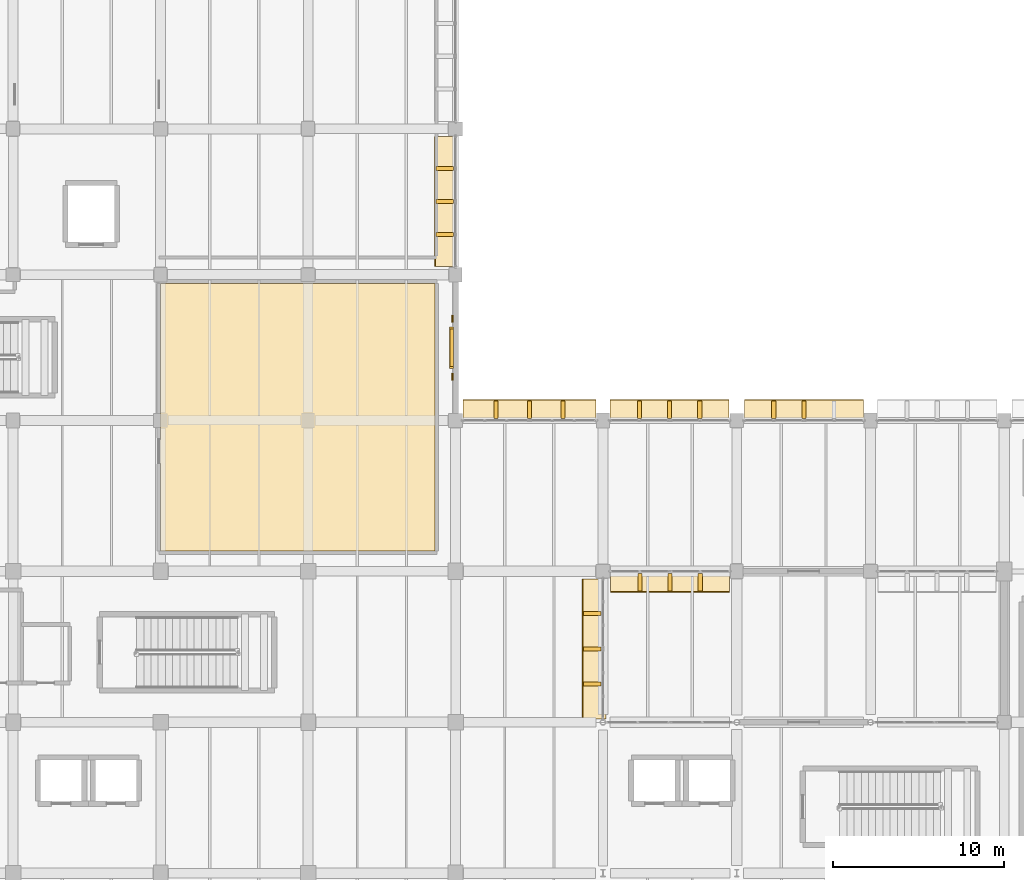
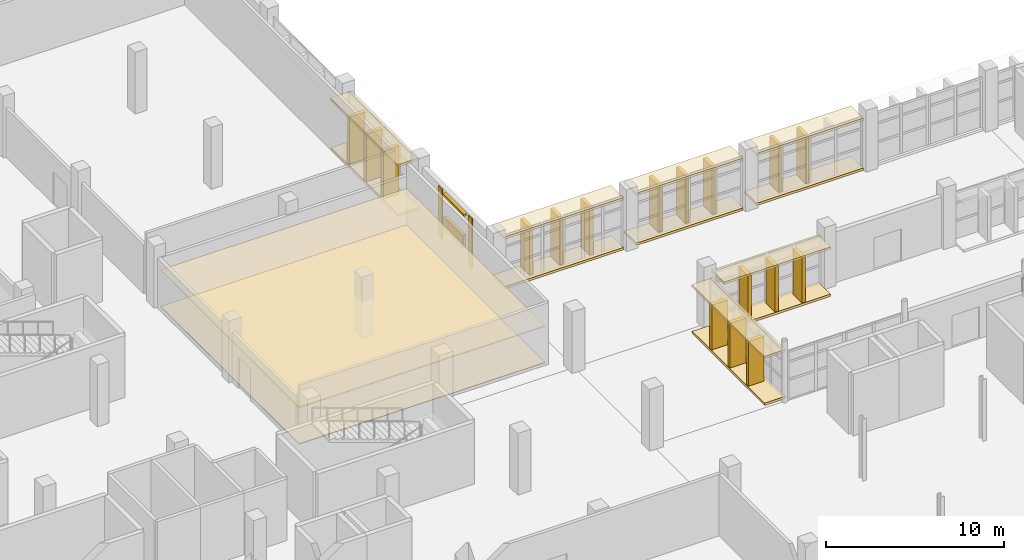
# One storey, part 69 of 76: 19 shading devices, 16 coverings.
"""IFC4 building model written with IfcOpenShell, lengths in metres."""

from ifc_helpers import new_model, si_unit, direction, frame, origin, origin_2d, place, context, subcontext, project, spatial, polyline, rectangle, outline, extrude, material, layer, layer_set, type_object, element, save


model = new_model("IFC4")

# Units and contexts
model_context = context("Model", 3, precision=1e-05, world=origin(), true_north=direction((0.0, 1.0)))
body_context = subcontext(model_context, "Body", "Model", "MODEL_VIEW")
ifc_project = project(units=[si_unit("LENGTHUNIT", "METRE"), si_unit("AREAUNIT", "SQUARE_METRE"), si_unit("VOLUMEUNIT", "CUBIC_METRE"), si_unit("PLANEANGLEUNIT", "RADIAN"), si_unit("MASSUNIT", "GRAM", prefix="KILO")], contexts=[model_context])

# Site, building, storey
site_placement = place(None, origin())
site = spatial("IfcSite", under=ifc_project, at=site_placement, CompositionType="ELEMENT")
building_placement = place(site_placement, origin())
building = spatial("IfcBuilding", under=site, at=building_placement, Name="Varnakota Cinema and Media Centre", CompositionType="ELEMENT")
storey_placement = place(building_placement, origin())
storey = spatial("IfcBuildingStorey", under=building, at=storey_placement, Name="L00", CompositionType="ELEMENT", Elevation=0.0)

# Coverings
ifc_material_1 = material(Name="Autoclaved aerated concrete blockwork", Category="masonry")
ifc_layer_1 = layer(ifc_material_1, 0.06005859375)
ifc_layer_set_1 = layer_set([ifc_layer_1], Name="Autoclaved aerated concrete blockwork")
covering_type_1 = type_object("IfcCoveringType", Name="COV-ACOUST-CEIL-60", PredefinedType="CEILING", material=ifc_layer_set_1)
covering_1_placement = place(storey_placement, frame((0.0, 0.0, 2.5)))
element("IfcCovering", 1, at=covering_1_placement, inside=storey, type_object=covering_type_1, Name="L00 Orchestral Recording Studio 1 acoustic baffle ceiling", PredefinedType="CEILING", context=body_context, shape_type="SweptSolid", body=[
    extrude(outline(polyline([(25.800048828125, 36.39990234375), (41.800048828125, 36.39990234375), (41.800048828125, 52.0), (25.800048828125, 52.0), (25.800048828125, 36.39990234375)])), origin(), (0.0, 0.0, 1.0), 0.06005859375),
])
ifc_material_2 = material(Name="Precast concrete M40", Category="concrete")
ifc_layer_2 = layer(ifc_material_2, 0.159912109375)
ifc_layer_set_2 = layer_set([ifc_layer_2], Name="Precast concrete M40")
covering_type_2 = type_object("IfcCoveringType", Name="COV-CHAJJA-160", PredefinedType="CLADDING", material=ifc_layer_set_2)
covering_2_placement = place(storey_placement, frame((0.0, 0.0, 3.425048828125)))
element("IfcCovering", 2, at=covering_2_placement, inside=storey, type_object=covering_type_2, Name="L00 Brutalist chajja overhang LINK-N-1", PredefinedType="CLADDING", context=body_context, shape_type="SweptSolid", body=[
    extrude(outline(polyline([(43.43994140625, 43.820068359375), (51.18505859375, 43.820068359375), (51.18505859375, 45.219970703125), (43.43994140625, 45.219970703125), (43.43994140625, 43.820068359375)])), origin(), (0.0, 0.0, 1.0), 0.159912109375),
])
covering_3_placement = place(storey_placement, origin())
element("IfcCovering", 3, at=covering_3_placement, inside=storey, type_object=covering_type_2, Name="L00 brise-soleil base plinth LINK-N-1", PredefinedType="CLADDING", context=body_context, shape_type="SweptSolid", body=[
    extrude(outline(polyline([(43.43994140625, 43.820068359375), (51.18505859375, 43.820068359375), (51.18505859375, 45.179931640625), (43.43994140625, 45.179931640625), (43.43994140625, 43.820068359375)])), origin(), (0.0, 0.0, 1.0), 0.159912109375),
])
covering_4_placement = place(storey_placement, frame((0.0, 0.0, 3.425048828125)))
element("IfcCovering", 4, at=covering_4_placement, inside=storey, type_object=covering_type_2, Name="L00 Brutalist chajja overhang LINK-N-2", PredefinedType="CLADDING", context=body_context, shape_type="SweptSolid", body=[
    extrude(outline(polyline([(52.014892578125, 43.820068359375), (58.9599609375, 43.820068359375), (58.9599609375, 45.219970703125), (52.014892578125, 45.219970703125), (52.014892578125, 43.820068359375)])), origin(), (0.0, 0.0, 1.0), 0.159912109375),
])
covering_5_placement = place(storey_placement, origin())
element("IfcCovering", 5, at=covering_5_placement, inside=storey, type_object=covering_type_2, Name="L00 brise-soleil base plinth LINK-N-2", PredefinedType="CLADDING", context=body_context, shape_type="SweptSolid", body=[
    extrude(outline(polyline([(52.014892578125, 43.820068359375), (58.9599609375, 43.820068359375), (58.9599609375, 45.179931640625), (52.014892578125, 45.179931640625), (52.014892578125, 43.820068359375)])), origin(), (0.0, 0.0, 1.0), 0.159912109375),
])
covering_6_placement = place(storey_placement, frame((0.0, 0.0, 3.425048828125)))
element("IfcCovering", 6, at=covering_6_placement, inside=storey, type_object=covering_type_2, Name="L00 Brutalist chajja overhang LINK-N-3", PredefinedType="CLADDING", context=body_context, shape_type="SweptSolid", body=[
    extrude(outline(polyline([(59.840087890625, 43.820068359375), (66.784912109375, 43.820068359375), (66.784912109375, 45.219970703125), (59.840087890625, 45.219970703125), (59.840087890625, 43.820068359375)])), origin(), (0.0, 0.0, 1.0), 0.159912109375),
])
covering_7_placement = place(storey_placement, origin())
element("IfcCovering", 7, at=covering_7_placement, inside=storey, type_object=covering_type_2, Name="L00 brise-soleil base plinth LINK-N-3", PredefinedType="CLADDING", context=body_context, shape_type="SweptSolid", body=[
    extrude(outline(polyline([(59.840087890625, 43.820068359375), (66.784912109375, 43.820068359375), (66.784912109375, 45.179931640625), (59.840087890625, 45.179931640625), (59.840087890625, 43.820068359375)])), origin(), (0.0, 0.0, 1.0), 0.159912109375),
])
covering_8_placement = place(storey_placement, frame((0.0, 0.0, 3.27490234375)))
element("IfcCovering", 8, at=covering_8_placement, inside=storey, type_object=covering_type_2, Name="L00 Brutalist chajja overhang LINK-S-3", PredefinedType="CLADDING", context=body_context, shape_type="SweptSolid", body=[
    extrude(outline(polyline([(58.985107421875, 35.3798828125), (52.0400390625, 35.3798828125), (52.0400390625, 33.97998046875), (58.985107421875, 33.97998046875), (58.985107421875, 35.3798828125)])), origin(), (0.0, 0.0, 1.0), 0.16015625),
])
covering_9_placement = place(storey_placement, origin())
element("IfcCovering", 9, at=covering_9_placement, inside=storey, type_object=covering_type_2, Name="L00 brise-soleil base plinth LINK-S-3", PredefinedType="CLADDING", context=body_context, shape_type="SweptSolid", body=[
    extrude(outline(polyline([(58.985107421875, 35.3798828125), (52.0400390625, 35.3798828125), (52.0400390625, 34.02001953125), (58.985107421875, 34.02001953125), (58.985107421875, 35.3798828125)])), origin(), (0.0, 0.0, 1.0), 0.159912109375),
])
covering_10_placement = place(storey_placement, frame((0.0, 0.0, 3.22509765625)))
element("IfcCovering", 10, at=covering_10_placement, inside=storey, type_object=covering_type_2, Name="L00 Brutalist chajja overhang WLINK-E-1", PredefinedType="CLADDING", context=body_context, shape_type="SweptSolid", body=[
    extrude(outline(polyline([(51.780029296875, 26.60205078125), (51.780029296875, 34.760009765625), (50.3798828125, 34.760009765625), (50.3798828125, 26.60205078125), (51.780029296875, 26.60205078125)])), origin(), (0.0, 0.0, 1.0), 0.159912109375),
])
covering_11_placement = place(storey_placement, origin())
element("IfcCovering", 11, at=covering_11_placement, inside=storey, type_object=covering_type_2, Name="L00 brise-soleil base plinth WLINK-E-1", PredefinedType="CLADDING", context=body_context, shape_type="SweptSolid", body=[
    extrude(outline(polyline([(51.780029296875, 26.60205078125), (51.780029296875, 34.760009765625), (50.419921875, 34.760009765625), (50.419921875, 26.60205078125), (51.780029296875, 26.60205078125)])), origin(), (0.0, 0.0, 1.0), 0.159912109375),
])
covering_12_placement = place(storey_placement, frame((0.0, 0.0, 3.425048828125)))
element("IfcCovering", 12, at=covering_12_placement, inside=storey, type_object=covering_type_2, Name="L00 Brutalist chajja overhang V5-E-2", PredefinedType="CLADDING", context=body_context, shape_type="SweptSolid", body=[
    extrude(outline(polyline([(43.179931640625, 52.965087890625), (43.179931640625, 60.56005859375), (41.780029296875, 60.56005859375), (41.780029296875, 52.965087890625), (43.179931640625, 52.965087890625)])), origin(), (0.0, 0.0, 1.0), 0.159912109375),
])
covering_13_placement = place(storey_placement, origin())
element("IfcCovering", 13, at=covering_13_placement, inside=storey, type_object=covering_type_2, Name="L00 brise-soleil base plinth V5-E-2", PredefinedType="CLADDING", context=body_context, shape_type="SweptSolid", body=[
    extrude(outline(polyline([(43.179931640625, 52.965087890625), (43.179931640625, 60.56005859375), (41.820068359375, 60.56005859375), (41.820068359375, 52.965087890625), (43.179931640625, 52.965087890625)])), origin(), (0.0, 0.0, 1.0), 0.159912109375),
])
ifc_material_3 = material(Name="Deccan grey granite ashlar", Category="masonry")
ifc_layer_3 = layer(ifc_material_3, 0.044921875)
ifc_layer_set_3 = layer_set([ifc_layer_3], Name="Deccan grey granite ashlar")
covering_type_3 = type_object("IfcCoveringType", Name="COV-STUDIO-FLR-45", PredefinedType="FLOORING", material=ifc_layer_set_3)
covering_14_placement = place(storey_placement, origin())
element("IfcCovering", 14, at=covering_14_placement, inside=storey, type_object=covering_type_3, Name="L00 Orchestral Recording Studio 1 isolated studio floor finish", PredefinedType="FLOORING", context=body_context, shape_type="SweptSolid", body=[
    extrude(outline(polyline([(25.800048828125, 36.39990234375), (41.800048828125, 36.39990234375), (41.800048828125, 52.0), (25.800048828125, 52.0), (25.800048828125, 36.39990234375)])), origin(), (0.0, 0.0, 1.0), 0.044921875),
])
ifc_material_4 = material(Name="Pale Tandur limestone cladding", Category="masonry")
ifc_layer_4 = layer(ifc_material_4, 0.06005859375)
ifc_layer_set_4 = layer_set([ifc_layer_4], Name="Pale Tandur limestone cladding")
covering_type_4 = type_object("IfcCoveringType", Name="COV-TANDUR-ASHLAR-60", PredefinedType="CLADDING", material=ifc_layer_set_4)
for number, where, z_axis, x_axis, name in (
    (15, (42.81494140625, 46.549072265625, 0.06005859375), (0.0, 0.0, 1.0), (0.0, 1.0, 0.0), "L00 acoustic studio stone relief pilaster V5-E-1.1"),
    (16, (42.81494140625, 49.926025390625, 0.06005859375), (0.0, 0.0, 1.0), (0.0, 1.0, 0.0), "L00 acoustic studio stone relief pilaster V5-E-1.2"),
):
    element("IfcCovering", number, at=place(storey_placement, frame(where, z_axis=z_axis, x_axis=x_axis)), inside=storey, type_object=covering_type_4, Name=name, PredefinedType="CLADDING", context=body_context, shape_type="SweptSolid", body=[
        extrude(rectangle(XDim=0.419921875, YDim=0.080078125, at=origin_2d()), origin(), (0.0, 0.0, 1.0), 3.465087890625),
    ])

# Shading devices
ifc_material_5 = material(Name="Precast concrete M40", Category="concrete")
shading_device_type_1 = type_object("IfcShadingDeviceType", Name="SHD-BRISE-FIN-240", PredefinedType="JALOUSIE", material=ifc_material_5)
for number, where, z_axis, x_axis, name in (
    (17, (45.356201171875, 44.6298828125, 0.14990234375), (0.0, 0.0, 1.0), (1.0, 0.0, 0.0), "L00 vertical concrete brise-soleil fin LINK-N-1.1"),
    (18, (47.3125, 44.6298828125, 0.14990234375), (0.0, 0.0, 1.0), (1.0, 0.0, 0.0), "L00 vertical concrete brise-soleil fin LINK-N-1.2"),
    (19, (49.268798828125, 44.6298828125, 0.14990234375), (0.0, 0.0, 1.0), (1.0, 0.0, 0.0), "L00 vertical concrete brise-soleil fin LINK-N-1.3"),
    (20, (53.731201171875, 44.6298828125, 0.14990234375), (0.0, 0.0, 1.0), (1.0, 0.0, 0.0), "L00 vertical concrete brise-soleil fin LINK-N-2.1"),
    (21, (55.487548828125, 44.6298828125, 0.14990234375), (0.0, 0.0, 1.0), (1.0, 0.0, 0.0), "L00 vertical concrete brise-soleil fin LINK-N-2.2"),
    (22, (57.24365234375, 44.6298828125, 0.14990234375), (0.0, 0.0, 1.0), (1.0, 0.0, 0.0), "L00 vertical concrete brise-soleil fin LINK-N-2.3"),
    (23, (61.556396484375, 44.6298828125, 0.14990234375), (0.0, 0.0, 1.0), (1.0, 0.0, 0.0), "L00 vertical concrete brise-soleil fin LINK-N-3.1"),
    (24, (63.3125, 44.6298828125, 0.14990234375), (0.0, 0.0, 1.0), (1.0, 0.0, 0.0), "L00 vertical concrete brise-soleil fin LINK-N-3.2"),
):
    element("IfcShadingDevice", number, at=place(storey_placement, frame(where, z_axis=z_axis, x_axis=x_axis)), inside=storey, type_object=shading_device_type_1, Name=name, PredefinedType="JALOUSIE", context=body_context, shape_type="SweptSolid", body=[
        extrude(rectangle(XDim=0.239990234375, YDim=1.02001953125, at=origin_2d()), origin(), (0.0, 0.0, 1.0), 3.284912109375),
    ])
for number, where, z_axis, x_axis, name in (
    (25, (57.268798828125, 34.570068359375, 0.14990234375), (0.0, 0.0, 1.0), (-1.0, 0.0, 0.0), "L00 vertical concrete brise-soleil fin LINK-S-3.1"),
    (26, (55.512451171875, 34.570068359375, 0.14990234375), (0.0, 0.0, 1.0), (-1.0, 0.0, 0.0), "L00 vertical concrete brise-soleil fin LINK-S-3.2"),
    (27, (53.75634765625, 34.570068359375, 0.14990234375), (0.0, 0.0, 1.0), (-1.0, 0.0, 0.0), "L00 vertical concrete brise-soleil fin LINK-S-3.3"),
):
    element("IfcShadingDevice", number, at=place(storey_placement, frame(where, z_axis=z_axis, x_axis=x_axis)), inside=storey, type_object=shading_device_type_1, Name=name, PredefinedType="JALOUSIE", context=body_context, shape_type="SweptSolid", body=[
        extrude(rectangle(XDim=0.239990234375, YDim=1.02001953125, at=origin_2d()), origin(), (0.0, 0.0, 1.0), 3.135009765625),
    ])
for number, where, z_axis, x_axis, name in (
    (28, (50.969970703125, 28.62158203125, 0.14990234375), (0.0, 0.0, 1.0), (0.0, 1.0, 0.0), "L00 vertical concrete brise-soleil fin WLINK-E-1.1"),
    (29, (50.969970703125, 30.680908203125, 0.14990234375), (0.0, 0.0, 1.0), (0.0, 1.0, 0.0), "L00 vertical concrete brise-soleil fin WLINK-E-1.2"),
    (30, (50.969970703125, 32.740478515625, 0.14990234375), (0.0, 0.0, 1.0), (0.0, 1.0, 0.0), "L00 vertical concrete brise-soleil fin WLINK-E-1.3"),
):
    element("IfcShadingDevice", number, at=place(storey_placement, frame(where, z_axis=z_axis, x_axis=x_axis)), inside=storey, type_object=shading_device_type_1, Name=name, PredefinedType="JALOUSIE", context=body_context, shape_type="SweptSolid", body=[
        extrude(rectangle(XDim=0.239990234375, YDim=1.02001953125, at=origin_2d()), origin(), (0.0, 0.0, 1.0), 3.0849609375),
    ])
for number, where, z_axis, x_axis, name in (
    (31, (42.3701171875, 54.84375, 0.14990234375), (0.0, 0.0, 1.0), (0.0, 1.0, 0.0), "L00 vertical concrete brise-soleil fin V5-E-2.1"),
    (32, (42.3701171875, 56.762451171875, 0.14990234375), (0.0, 0.0, 1.0), (0.0, 1.0, 0.0), "L00 vertical concrete brise-soleil fin V5-E-2.2"),
    (33, (42.3701171875, 58.681396484375, 0.14990234375), (0.0, 0.0, 1.0), (0.0, 1.0, 0.0), "L00 vertical concrete brise-soleil fin V5-E-2.3"),
):
    element("IfcShadingDevice", number, at=place(storey_placement, frame(where, z_axis=z_axis, x_axis=x_axis)), inside=storey, type_object=shading_device_type_1, Name=name, PredefinedType="JALOUSIE", context=body_context, shape_type="SweptSolid", body=[
        extrude(rectangle(XDim=0.239990234375, YDim=1.02001953125, at=origin_2d()), origin(), (0.0, 0.0, 1.0), 3.284912109375),
    ])
ifc_material_6 = material(Name="Precast concrete M40", Category="concrete")
shading_device_type_2 = type_object("IfcShadingDeviceType", Name="SHD-CHAJJA-1050", PredefinedType="AWNING", material=ifc_material_6)
shading_device_1_placement = place(storey_placement, frame((42.77001953125, 48.237548828125, 3.31494140625), z_axis=(0.0, 0.0, 1.0), x_axis=(0.0, 1.0, 0.0)))
element("IfcShadingDevice", 34, at=shading_device_1_placement, inside=storey, type_object=shading_device_type_2, Name="L00 acoustic intake weather hood V5-E-1", PredefinedType="AWNING", context=body_context, shape_type="SweptSolid", body=[
    extrude(rectangle(XDim=2.39990234375, YDim=0.239990234375, at=origin_2d()), origin(), (0.0, 0.0, 1.0), 0.139892578125),
])
ifc_material_7 = material(Name="Precast concrete M40", Category="concrete")
shading_device_type_3 = type_object("IfcShadingDeviceType", Name="SHD-FIN-1050", PredefinedType="JALOUSIE", material=ifc_material_7)
shading_device_2_placement = place(storey_placement, frame((42.77001953125, 48.237548828125, 1.074951171875), z_axis=(0.0, 0.0, 1.0), x_axis=(0.0, 1.0, 0.0)))
element("IfcShadingDevice", 35, at=shading_device_2_placement, inside=storey, type_object=shading_device_type_3, Name="L00 studio acoustic louvre screen V5-E-1", PredefinedType="JALOUSIE", context=body_context, shape_type="SweptSolid", body=[
    extrude(rectangle(XDim=2.199951171875, YDim=0.199951171875, at=origin_2d()), origin(), (0.0, 0.0, 1.0), 0.85009765625),
])

save(model, "model.ifc")
